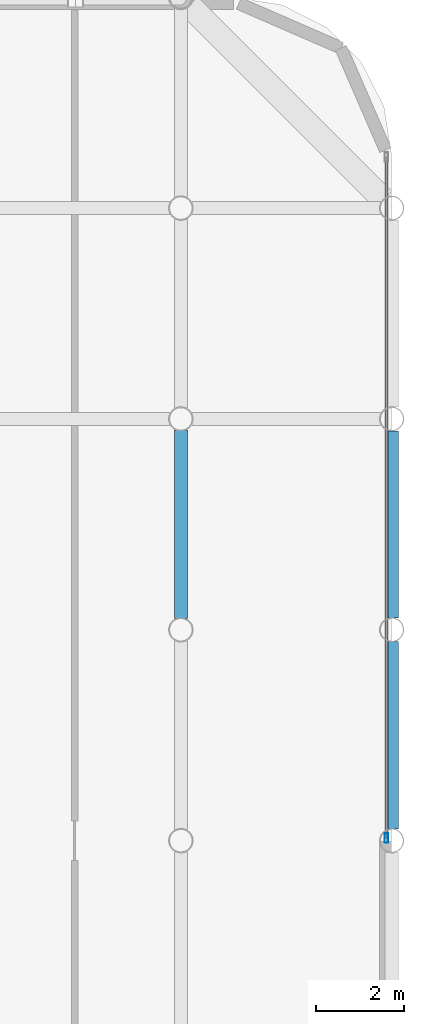
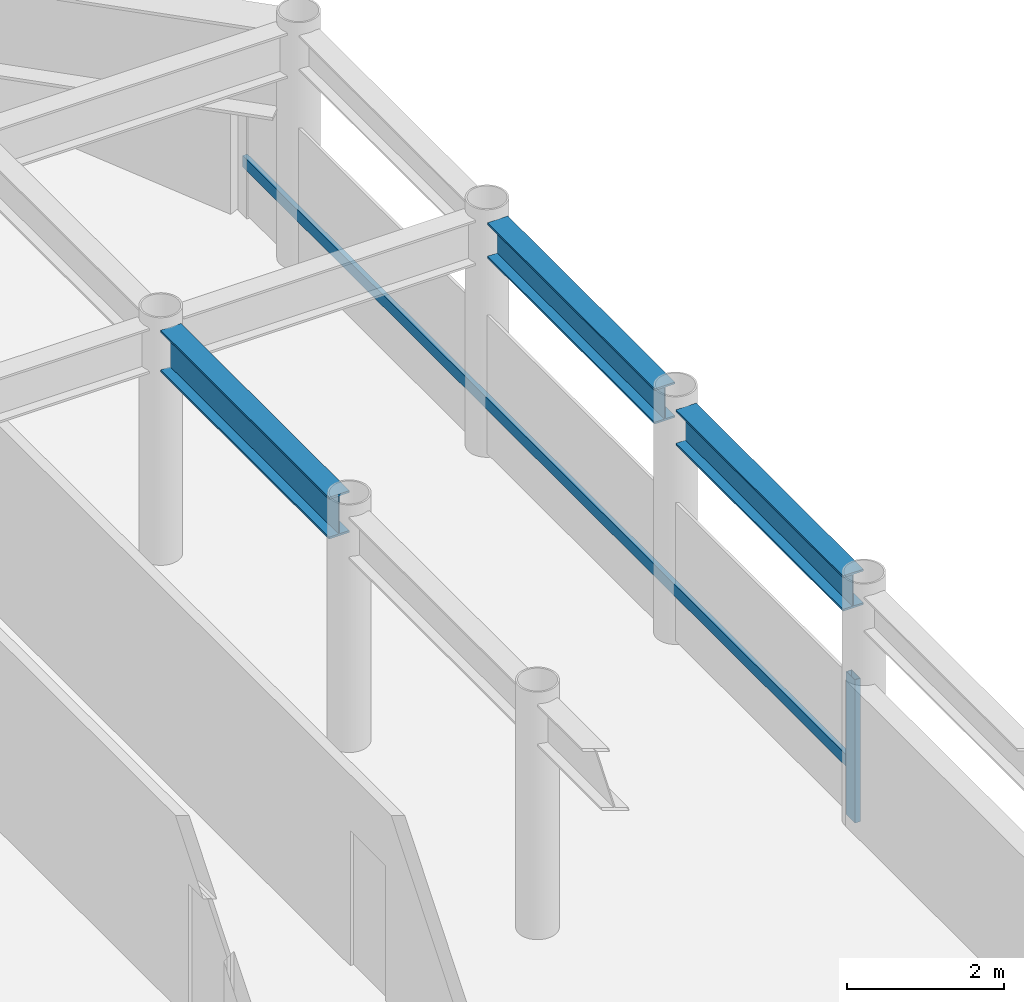
# One storey, part 10 of 22: 3 beams, 2 members, 1 element without a shape of its own.
"""IFC4 building model written with IfcOpenShell, lengths in metres."""

from ifc_helpers import new_model, si_unit, direction, frame, origin, origin_2d, place, context, subcontext, project, spatial, hollow_rectangle, i_section, extrude, material, layer, layer_set, material_profile, profile_set, type_object, element, aggregate, save


model = new_model("IFC4")

# Units and contexts
model_context = context("Model", 3, precision=1e-05, world=origin(), true_north=direction((0.0, 1.0)))
body_context = subcontext(model_context, "Body", "Model", "MODEL_VIEW")
ifc_project = project(units=[si_unit("LENGTHUNIT", "METRE"), si_unit("AREAUNIT", "SQUARE_METRE"), si_unit("VOLUMEUNIT", "CUBIC_METRE"), si_unit("PLANEANGLEUNIT", "RADIAN"), si_unit("MASSUNIT", "GRAM", prefix="KILO")], contexts=[model_context])

# Site, building, storey
site_placement = place(None, origin())
site = spatial("IfcSite", under=ifc_project, at=site_placement, CompositionType="ELEMENT")
building_placement = place(site_placement, origin())
building = spatial("IfcBuilding", under=site, at=building_placement, Name="Kallvorn Hotel Tower", CompositionType="ELEMENT")
storey_placement = place(building_placement, frame((0.0, 0.0, 203.050048828125)))
storey = spatial("IfcBuildingStorey", under=building, at=storey_placement, Name="L50", CompositionType="ELEMENT", Elevation=203.050048828125)

# Beams
ifc_material_1 = material(Name="Structural steel S355JR", Category="steel")
ifc_material_profile_1 = material_profile(ifc_material_1, i_section(OverallWidth=0.300048828125, OverallDepth=0.550048828125, WebThickness=0.014892578125, FlangeThickness=0.029052734375, at=origin_2d()), Name="HE 550 B")
ifc_profile_set_1 = profile_set([ifc_material_profile_1], Name="Structural steel S355JR")
beam_type_1 = type_object("IfcBeamType", Name="BM_HE550B", PredefinedType="SPANDREL", material=ifc_profile_set_1)
for number, where, z_axis, x_axis, name in (
    (1, (33.60009765625, 0.26953125, 3.39501953125), (0.0, 1.0, 0.0), (-1.0, 0.0, 0.0), "L51 Perimeter Spandrel 186"),
    (2, (33.60009765625, 5.069580078125, 3.39501953125), (0.0, 1.0, 0.0), (-1.0, 0.0, 0.0), "L51 Perimeter Spandrel 187"),
):
    element("IfcBeam", number, at=place(storey_placement, frame(where, z_axis=z_axis, x_axis=x_axis)), inside=storey, type_object=beam_type_1, Name=name, PredefinedType="SPANDREL", context=body_context, shape_type="SweptSolid", body=[
        extrude(i_section(OverallWidth=0.300048828125, OverallDepth=0.550048828125, WebThickness=0.014892578125, FlangeThickness=0.029052734375, at=origin_2d()), origin(), (0.0, 0.0, 1.0), 4.260986328125),
    ])
ifc_material_2 = material(Name="Structural steel S355JR", Category="steel")
ifc_material_profile_2 = material_profile(ifc_material_2, i_section(OverallWidth=0.300048828125, OverallDepth=0.64990234375, WebThickness=0.01611328125, FlangeThickness=0.031005859375, at=origin_2d()), Name="HE 650 B")
ifc_profile_set_2 = profile_set([ifc_material_profile_2], Name="Structural steel S355JR")
beam_type_2 = type_object("IfcBeamType", Name="BM_HE650B", PredefinedType="BEAM", material=ifc_profile_set_2)
beam_placement = place(storey_placement, frame((28.800048828125, 5.054443359375, 3.344970703125), z_axis=(0.0, 1.0, 0.0), x_axis=(-1.0, 0.0, 0.0)))
element("IfcBeam", 3, at=beam_placement, inside=storey, type_object=beam_type_2, Name="L51 Primary Y-Girder 148", PredefinedType="BEAM", context=body_context, shape_type="SweptSolid", body=[
    extrude(i_section(OverallWidth=0.300048828125, OverallDepth=0.64990234375, WebThickness=0.01611328125, FlangeThickness=0.031005859375, at=origin_2d()), origin(), (0.0, 0.0, 1.0), 4.291015625),
])

# Curtain wall, members
ifc_material_3 = material(Name="Thermally broken black-anodised aluminium AA 6063-T6", Category="aluminium")
ifc_layer = layer(ifc_material_3, 0.22998046875)
ifc_layer_set = layer_set([ifc_layer], Name="CW_SYS_5_HOTEL_HIGH")
curtain_wall_type = type_object("IfcCurtainWallType", Name="CW_SYS_5_HOTEL_HIGH", PredefinedType="USERDEFINED", material=ifc_layer_set)
curtain_wall_placement = place(storey_placement, origin())
curtain_wall = element("IfcCurtainWall", 4, at=curtain_wall_placement, inside=storey, type_object=curtain_wall_type, Name="L50 Dark-Glass Curtain Wall CW-L50-EN", ObjectType="UNITISED CURTAIN WALL", PredefinedType="USERDEFINED")
ifc_material_4 = material(Name="Thermally broken black-anodised aluminium AA 6063-T6", Category="aluminium")
ifc_material_profile_3 = material_profile(ifc_material_4, hollow_rectangle(XDim=0.080078125, YDim=0.219970703125, WallThickness=0.0048828125, at=origin_2d()), Name="MUL 220x80")
ifc_profile_set_3 = profile_set([ifc_material_profile_3], Name="Thermally broken black-anodised aluminium AA 6063-T6")
member_type_1 = type_object("IfcMemberType", Name="CW_MULLION_220x80", PredefinedType="MULLION", material=ifc_profile_set_3)
member_1_placement = place(storey_placement, frame((33.47998046875, 0.06005859375, 0.02001953125), z_axis=(0.0, 0.0, 1.0), x_axis=(1.0, 0.0, 0.0)))
member_1 = element("IfcMember", 5, at=member_1_placement, type_object=member_type_1, Name="CW-L50-EN Mullion 00", PredefinedType="MULLION", context=body_context, shape_type="SweptSolid", body=[
    extrude(hollow_rectangle(XDim=0.080078125, YDim=0.219970703125, WallThickness=0.0048828125, at=origin_2d()), origin(), (0.0, 0.0, 1.0), 2.22998046875),
])
ifc_material_5 = material(Name="Thermally broken black-anodised aluminium AA 6063-T6", Category="aluminium")
ifc_material_profile_4 = material_profile(ifc_material_5, hollow_rectangle(XDim=0.070068359375, YDim=0.179931640625, WallThickness=0.00390625, at=origin_2d()), Name="TRN 180x70")
ifc_profile_set_4 = profile_set([ifc_material_profile_4], Name="Thermally broken black-anodised aluminium AA 6063-T6")
member_type_2 = type_object("IfcMemberType", Name="CW_TRANSOM_180x70", PredefinedType="USERDEFINED", material=ifc_profile_set_4)
member_2_placement = place(storey_placement, frame((33.47998046875, 0.06005859375, 0.849853515625), z_axis=(0.0, 1.0, 0.0), x_axis=(-1.0, 0.0, 0.0)))
member_2 = element("IfcMember", 6, at=member_2_placement, type_object=member_type_2, Name="CW-L50-EN Transom 00M", ObjectType="TRANSOM", PredefinedType="USERDEFINED", context=body_context, shape_type="SweptSolid", body=[
    extrude(hollow_rectangle(XDim=0.070068359375, YDim=0.179931640625, WallThickness=0.00390625, at=origin_2d()), origin(), (0.0, 0.0, 1.0), 15.5),
])
aggregate(curtain_wall, [member_1, member_2])

save(model, "model.ifc")
